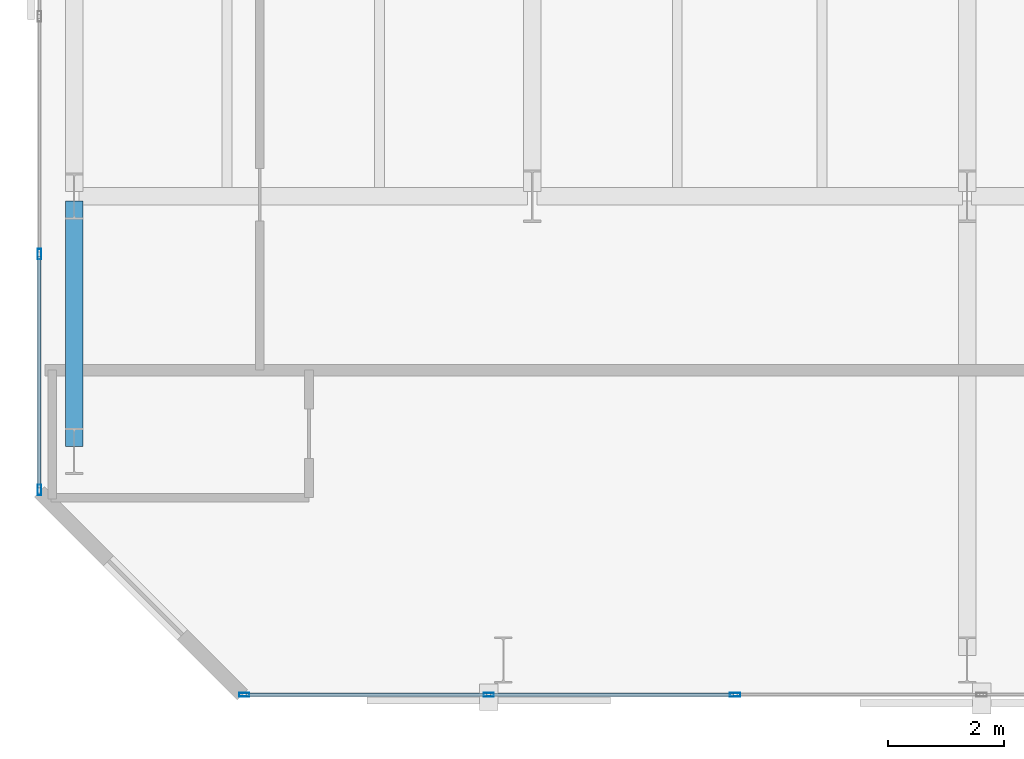
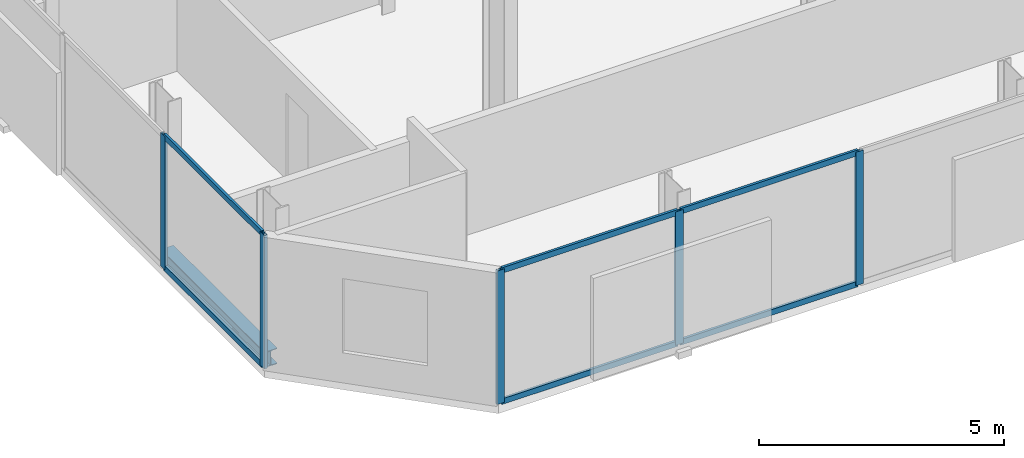
# One storey, part 3 of 33: 11 members, 1 beam, 2 elements without a shape of their own.
"""IFC4 building model written with IfcOpenShell, lengths in metres."""

from ifc_helpers import new_model, si_unit, direction, frame, origin, origin_2d, place, context, subcontext, project, spatial, hollow_rectangle, i_section, extrude, material, layer, layer_set, material_profile, profile_set, type_object, element, aggregate, save


model = new_model("IFC4")

# Units and contexts
model_context = context("Model", 3, precision=1e-05, world=origin(), true_north=direction((0.0, 1.0)))
body_context = subcontext(model_context, "Body", "Model", "MODEL_VIEW")
ifc_project = project(units=[si_unit("LENGTHUNIT", "METRE"), si_unit("AREAUNIT", "SQUARE_METRE"), si_unit("VOLUMEUNIT", "CUBIC_METRE"), si_unit("PLANEANGLEUNIT", "RADIAN"), si_unit("MASSUNIT", "GRAM", prefix="KILO")], contexts=[model_context])

# Site, building, storey
site_placement = place(None, origin())
site = spatial("IfcSite", under=ifc_project, at=site_placement, CompositionType="ELEMENT")
building_placement = place(site_placement, origin())
building = spatial("IfcBuilding", under=site, at=building_placement, Name="Catumbela Crestline Tower", CompositionType="ELEMENT")
storey_placement = place(building_placement, frame((0.0, 0.0, 51.0)))
storey = spatial("IfcBuildingStorey", under=building, at=storey_placement, Name="L12", CompositionType="ELEMENT", Elevation=51.0)

# Curtain wall, members
ifc_material_1 = material(Name="Aluminium alloy AW-6060-T66", Category="aluminium")
ifc_layer = layer(ifc_material_1, 0.18, Name="Aluminium alloy AW-6060-T66")
ifc_layer_set = layer_set([ifc_layer], Name="Aluminium alloy AW-6060-T66")
curtain_wall_type = type_object("IfcCurtainWallType", Name="CWU-Z1", PredefinedType="USERDEFINED", material=ifc_layer_set)
curtain_wall_1_placement = place(storey_placement, origin())
curtain_wall_1 = element("IfcCurtainWall", 1, at=curtain_wall_1_placement, inside=storey, type_object=curtain_wall_type, Name="L12 Unitised Curtain Wall CW-L12-E0S1", ObjectType="UNITISED", PredefinedType="USERDEFINED")
ifc_material_profile_1 = material_profile(ifc_material_1, hollow_rectangle(XDim=0.065, YDim=0.18, WallThickness=0.004, at=origin_2d()), Name="ALU 180x65x4")
ifc_profile_set_1 = profile_set([ifc_material_profile_1], Name="Aluminium alloy AW-6060-T66")
member_type_1 = type_object("IfcMemberType", Name="MUL-180X65", PredefinedType="MULLION", material=ifc_profile_set_1)
member_1_placement = place(storey_placement, frame((3.5325, 0.0, 0.0), z_axis=(0.0, 0.0, 1.0), x_axis=(0.0, 1.0, 0.0)))
member_1 = element("IfcMember", 2, at=member_1_placement, type_object=member_type_1, Name="CWU-Z1 mullion 1", PredefinedType="MULLION", context=body_context, shape_type="SweptSolid", body=[
    extrude(hollow_rectangle(XDim=0.065, YDim=0.18, WallThickness=0.004, at=origin_2d()), origin(), (0.0, 0.0, 1.0), 3.33),
])
member_2_placement = place(storey_placement, frame((7.75, 0.0, 0.0), z_axis=(0.0, 0.0, 1.0), x_axis=(0.0, 1.0, 0.0)))
member_2 = element("IfcMember", 3, at=member_2_placement, type_object=member_type_1, Name="CWU-Z1 mullion 2", PredefinedType="MULLION", context=body_context, shape_type="SweptSolid", body=[
    extrude(hollow_rectangle(XDim=0.065, YDim=0.18, WallThickness=0.004, at=origin_2d()), origin(), (0.0, 0.0, 1.0), 3.33),
])
member_3_placement = place(storey_placement, frame((12.0, 0.0, 0.0), z_axis=(0.0, 0.0, 1.0), x_axis=(0.0, 1.0, 0.0)))
member_3 = element("IfcMember", 4, at=member_3_placement, type_object=member_type_1, Name="CWU-Z1 mullion 3", PredefinedType="MULLION", context=body_context, shape_type="SweptSolid", body=[
    extrude(hollow_rectangle(XDim=0.065, YDim=0.18, WallThickness=0.004, at=origin_2d()), origin(), (0.0, 0.0, 1.0), 3.33),
])

curtain_wall_2_placement = place(storey_placement, origin())
curtain_wall_2 = element("IfcCurtainWall", 5, at=curtain_wall_2_placement, inside=storey, type_object=curtain_wall_type, Name="L12 Unitised Curtain Wall CW-L12-E9S1", ObjectType="UNITISED", PredefinedType="USERDEFINED")
member_4_placement = place(storey_placement, frame((0.0, 7.6, 0.0), z_axis=(0.0, 0.0, 1.0), x_axis=(1.0, 0.0, 0.0)))
member_4 = element("IfcMember", 6, at=member_4_placement, type_object=member_type_1, Name="CWU-Z1 mullion 10", PredefinedType="MULLION", context=body_context, shape_type="SweptSolid", body=[
    extrude(hollow_rectangle(XDim=0.065, YDim=0.18, WallThickness=0.004, at=origin_2d()), origin(), (0.0, 0.0, 1.0), 3.33),
])
member_5_placement = place(storey_placement, frame((0.0, 3.5325, 0.0), z_axis=(0.0, 0.0, 1.0), x_axis=(1.0, 0.0, 0.0)))
member_5 = element("IfcMember", 7, at=member_5_placement, type_object=member_type_1, Name="CWU-Z1 mullion 11", PredefinedType="MULLION", context=body_context, shape_type="SweptSolid", body=[
    extrude(hollow_rectangle(XDim=0.065, YDim=0.18, WallThickness=0.004, at=origin_2d()), origin(), (0.0, 0.0, 1.0), 3.33),
])

# Beam
ifc_material_2 = material(Name="Structural steel S355J2", Category="steel")
ifc_material_profile_2 = material_profile(ifc_material_2, i_section(OverallWidth=0.3, OverallDepth=0.39, WebThickness=0.011, FlangeThickness=0.019, FilletRadius=0.027, at=origin_2d()), Name="HEA 400")
ifc_profile_set_2 = profile_set([ifc_material_profile_2], Name="Structural steel S355J2")
beam_type = type_object("IfcBeamType", Name="BS-HEA400", PredefinedType="SPANDREL", material=ifc_profile_set_2)
beam_placement = place(storey_placement, frame((0.6, 4.28, -0.455), z_axis=(0.0, 1.0, 0.0), x_axis=(-1.0, 0.0, 0.0)))
element("IfcBeam", 8, at=beam_placement, inside=storey, type_object=beam_type, Name="L12 Spandrel SP-L12-WNS57", PredefinedType="SPANDREL", context=body_context, shape_type="SweptSolid", body=[
    extrude(i_section(OverallWidth=0.3, OverallDepth=0.39, WebThickness=0.011, FlangeThickness=0.019, FilletRadius=0.027, at=origin_2d()), origin(), (0.0, 0.0, 1.0), 4.24),
])

# Member
ifc_material_profile_3 = material_profile(ifc_material_1, hollow_rectangle(XDim=0.06, YDim=0.14, WallThickness=0.004, at=origin_2d()), Name="ALU 140x60x4")
ifc_profile_set_3 = profile_set([ifc_material_profile_3], Name="Aluminium alloy AW-6060-T66")
member_type_2 = type_object("IfcMemberType", Name="TRN-140X60", PredefinedType="USERDEFINED", material=ifc_profile_set_3)
member_6_placement = place(storey_placement, frame((3.565, 0.0, 0.03), z_axis=(1.0, 0.0, 0.0), x_axis=(0.0, 1.0, 0.0)))
member_6 = element("IfcMember", 9, at=member_6_placement, type_object=member_type_2, Name="CWU-Z1 transom 1.1", ObjectType="TRANSOM", PredefinedType="USERDEFINED", context=body_context, shape_type="SweptSolid", body=[
    extrude(hollow_rectangle(XDim=0.06, YDim=0.14, WallThickness=0.004, at=origin_2d()), origin(), (0.0, 0.0, 1.0), 4.1525),
])

member_7_placement = place(storey_placement, frame((3.565, 0.0, 3.3), z_axis=(1.0, 0.0, 0.0), x_axis=(0.0, 1.0, 0.0)))
member_7 = element("IfcMember", 10, at=member_7_placement, type_object=member_type_2, Name="CWU-Z1 transom 1.2", ObjectType="TRANSOM", PredefinedType="USERDEFINED", context=body_context, shape_type="SweptSolid", body=[
    extrude(hollow_rectangle(XDim=0.06, YDim=0.14, WallThickness=0.004, at=origin_2d()), origin(), (0.0, 0.0, 1.0), 4.1525),
])

member_8_placement = place(storey_placement, frame((7.7825, 0.0, 0.03), z_axis=(1.0, 0.0, 0.0), x_axis=(0.0, 1.0, 0.0)))
member_8 = element("IfcMember", 11, at=member_8_placement, type_object=member_type_2, Name="CWU-Z1 transom 2.1", ObjectType="TRANSOM", PredefinedType="USERDEFINED", context=body_context, shape_type="SweptSolid", body=[
    extrude(hollow_rectangle(XDim=0.06, YDim=0.14, WallThickness=0.004, at=origin_2d()), origin(), (0.0, 0.0, 1.0), 4.185),
])

member_9_placement = place(storey_placement, frame((7.7825, 0.0, 3.3), z_axis=(1.0, 0.0, 0.0), x_axis=(0.0, 1.0, 0.0)))
member_9 = element("IfcMember", 12, at=member_9_placement, type_object=member_type_2, Name="CWU-Z1 transom 2.2", ObjectType="TRANSOM", PredefinedType="USERDEFINED", context=body_context, shape_type="SweptSolid", body=[
    extrude(hollow_rectangle(XDim=0.06, YDim=0.14, WallThickness=0.004, at=origin_2d()), origin(), (0.0, 0.0, 1.0), 4.185),
])

aggregate(curtain_wall_1, [member_1, member_2, member_3, member_6, member_7, member_8, member_9])

member_10_placement = place(storey_placement, frame((0.0, 7.5675, 0.03), z_axis=(0.0, -1.0, 0.0), x_axis=(1.0, 0.0, 0.0)))
member_10 = element("IfcMember", 13, at=member_10_placement, type_object=member_type_2, Name="CWU-Z1 transom 10.1", ObjectType="TRANSOM", PredefinedType="USERDEFINED", context=body_context, shape_type="SweptSolid", body=[
    extrude(hollow_rectangle(XDim=0.06, YDim=0.14, WallThickness=0.004, at=origin_2d()), origin(), (0.0, 0.0, 1.0), 4.0025),
])

member_11_placement = place(storey_placement, frame((0.0, 7.5675, 3.3), z_axis=(0.0, -1.0, 0.0), x_axis=(1.0, 0.0, 0.0)))
member_11 = element("IfcMember", 14, at=member_11_placement, type_object=member_type_2, Name="CWU-Z1 transom 10.2", ObjectType="TRANSOM", PredefinedType="USERDEFINED", context=body_context, shape_type="SweptSolid", body=[
    extrude(hollow_rectangle(XDim=0.06, YDim=0.14, WallThickness=0.004, at=origin_2d()), origin(), (0.0, 0.0, 1.0), 4.0025),
])

aggregate(curtain_wall_2, [member_4, member_5, member_10, member_11])

save(model, "model.ifc")
